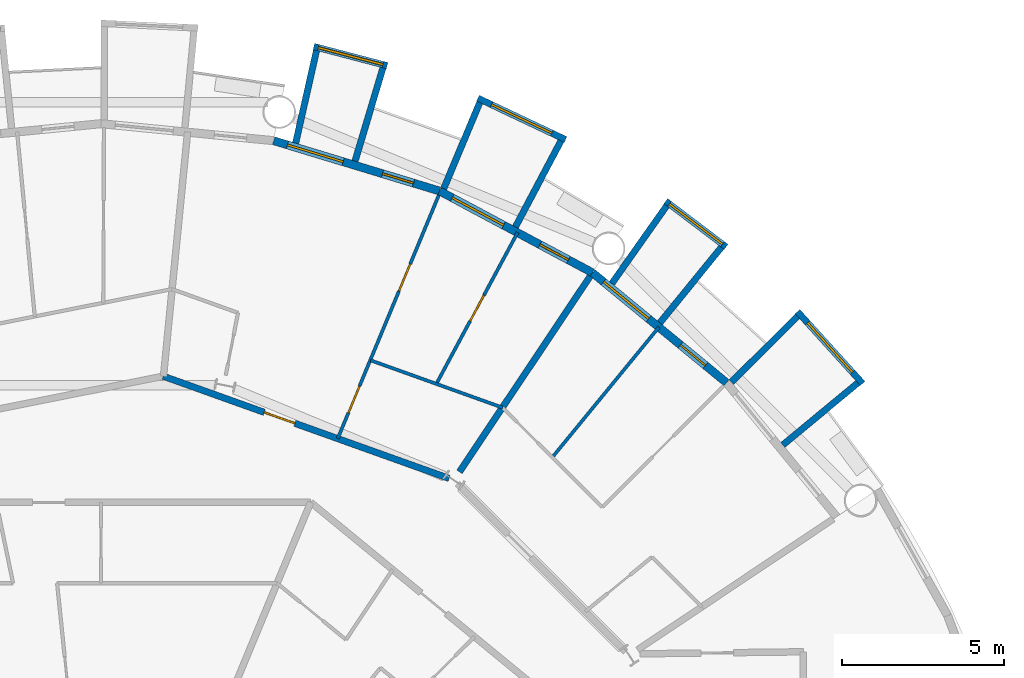
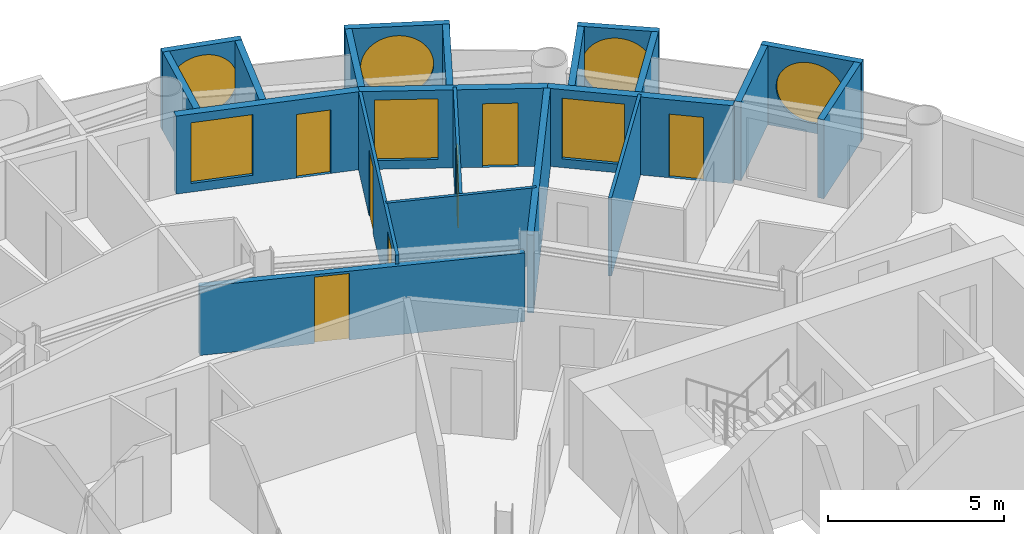
# One storey, part 22 of 26: 21 walls, 7 doors, 7 windows, 14 openings.
"""IFC4 building model written with IfcOpenShell, lengths in metres."""

import ifcopenshell
import ifcopenshell.guid

model = None  # the IFC model being written
_history = None  # IfcOwnerHistory: only IFC2X3 demands one
_inside = {}  # id of a spatial element -> (the spatial element, [elements in it])
_under = {}  # id of a project, library or spatial element -> (it, [spatial elements below it])
_declared = {}  # id of a project -> (the project, [libraries it declares])
_typed = {}  # id of a type object -> (the type object, [elements of that type])
_made_of = {}  # id of a material, layer set ... -> (it, [elements and type objects made of it])


def new_model(schema):
    """Start an empty IFC model of exactly this schema.

    Asked for "IFC4X3", IfcOpenShell would pick the latest addendum, in which some entities
    have other attributes; the version numbers below select the first issue.
    IFC2X3 requires an IfcOwnerHistory on every rooted entity: one is made here for all.
    """
    global model, _history
    if schema == "IFC4X3":
        model = ifcopenshell.file(schema_version=(4, 3, 0, 0))
    else:
        model = ifcopenshell.file(schema=schema)
    _inside.clear()
    _under.clear()
    _declared.clear()
    _typed.clear()
    _made_of.clear()
    _history = None
    if model.schema == "IFC2X3":
        org = make("IfcOrganization", Name="unknown")
        user = make(
            "IfcPersonAndOrganization",
            ThePerson=make("IfcPerson", FamilyName="unknown"),
            TheOrganization=org,
        )
        app = make(
            "IfcApplication",
            ApplicationDeveloper=org,
            Version="unknown",
            ApplicationFullName="unknown",
            ApplicationIdentifier="unknown",
        )
        _history = make(
            "IfcOwnerHistory",
            OwningUser=user,
            OwningApplication=app,
            ChangeAction="ADDED",
            CreationDate=0,
        )
    return model


def make(cls, **values):
    """One entity of the class cls with the attributes given. An attribute that is None is left unset."""
    return model.create_entity(
        cls, **{name: value for name, value in values.items() if value is not None}
    )


def rooted(cls, **values):
    """An entity with a GlobalId (a new one), such as an element, a storey or a relation."""
    return make(cls, GlobalId=ifcopenshell.guid.new(), OwnerHistory=_history, **values)


def si_unit(unit_type, name, prefix=None):
    """IfcSIUnit, for example si_unit("LENGTHUNIT", "METRE", prefix="MILLI")."""
    return make("IfcSIUnit", UnitType=unit_type, Prefix=prefix, Name=name)


def assignment(units):
    """IfcUnitAssignment: the units of a project."""
    return None if units is None else make("IfcUnitAssignment", Units=units)


def point(xyz):
    """IfcCartesianPoint."""
    return None if xyz is None else make("IfcCartesianPoint", Coordinates=xyz)


def direction(xyz):
    """IfcDirection."""
    return None if xyz is None else make("IfcDirection", DirectionRatios=xyz)


def frame(location, z_axis=None, x_axis=None):
    """IfcAxis2Placement3D, a coordinate frame: its origin and axes. An axis left out is left unset."""
    return make(
        "IfcAxis2Placement3D",
        Location=point(location),
        Axis=direction(z_axis),
        RefDirection=direction(x_axis),
    )


def frame_2d(location, x_axis=None):
    """IfcAxis2Placement2D, a coordinate frame in the plane: its origin and x axis."""
    return make(
        "IfcAxis2Placement2D", Location=point(location), RefDirection=direction(x_axis)
    )


def origin():
    """The frame at (0, 0, 0) with its axes left unset."""
    return frame((0.0, 0.0, 0.0))


def place(relative_to, where):
    """IfcLocalPlacement: puts the frame where relative to a parent placement (None: the world)."""
    return make(
        "IfcLocalPlacement", PlacementRelTo=relative_to, RelativePlacement=where
    )


def context(
    kind, dimensions, precision=None, world=None, true_north=None, identifier=None
):
    """IfcGeometricRepresentationContext, for example the 3D "Model" context."""
    return make(
        "IfcGeometricRepresentationContext",
        ContextIdentifier=identifier,
        ContextType=kind,
        CoordinateSpaceDimension=dimensions,
        Precision=precision,
        WorldCoordinateSystem=world,
        TrueNorth=true_north,
    )


def subcontext(parent, identifier, kind, view, scale=None):
    """IfcGeometricRepresentationSubContext, for example "Body" below "Model"."""
    return make(
        "IfcGeometricRepresentationSubContext",
        ContextIdentifier=identifier,
        ContextType=kind,
        ParentContext=parent,
        TargetScale=scale,
        TargetView=view,
    )


def project(units=None, contexts=None):
    """IfcProject with its units and contexts."""
    return rooted(
        "IfcProject",
        Name="project",
        RepresentationContexts=contexts,
        UnitsInContext=assignment(units),
    )


def spatial(cls, under=None, at=None, **own):
    """A site, building, storey or space (cls), placed at a placement, below another one or the project."""
    s = rooted(cls, ObjectPlacement=at, **own)
    if under is not None:
        _under.setdefault(under.id(), (under, []))[1].append(s)
    return s


def profile(cls, at=None, kind="AREA", **sizes):
    """A parametric profile (cls). Its sizes go by their IFC names, for example OverallWidth=200.0."""
    return make(cls, ProfileType=kind, Position=at, **sizes)


def rectangle(**sizes):
    """IfcRectangleProfileDef."""
    return profile("IfcRectangleProfileDef", **sizes)


def circle(**sizes):
    """IfcCircleProfileDef."""
    return profile("IfcCircleProfileDef", **sizes)


def extrude(swept, where, along, depth):
    """IfcExtrudedAreaSolid: the profile swept, set in the frame where, extruded along a direction by depth."""
    return make(
        "IfcExtrudedAreaSolid",
        SweptArea=swept,
        Position=where,
        ExtrudedDirection=direction(along),
        Depth=depth,
    )


def shape(context_of_items, identifier, shape_type, items):
    """IfcShapeRepresentation: the items that make up one representation, for example the "Body"."""
    return make(
        "IfcShapeRepresentation",
        ContextOfItems=context_of_items,
        RepresentationIdentifier=identifier,
        RepresentationType=shape_type,
        Items=items,
    )


def material(Name=None, Category=None):
    """IfcMaterial."""
    return make("IfcMaterial", Name=Name, Category=Category)


def layer(
    of_material, thickness, ventilated=None, Name=None, Category=None, Priority=None
):
    """IfcMaterialLayer: one layer of a wall or slab, of a material (None: an air gap)."""
    return make(
        "IfcMaterialLayer",
        Material=of_material,
        LayerThickness=thickness,
        IsVentilated=ventilated,
        Name=Name,
        Category=Category,
        Priority=Priority,
    )


def layer_set(layers, Name=None):
    """IfcMaterialLayerSet."""
    return make("IfcMaterialLayerSet", MaterialLayers=layers, LayerSetName=Name)


def made_of(thing, what):
    """Note that an element or type object is made of a material, layer set ...; save() writes the relation."""
    if what is not None:
        _made_of.setdefault(what.id(), (what, []))[1].append(thing)
    return thing


def type_object(cls, material=None, **own):
    """A type object (cls), such as IfcWallType, which elements share."""
    return made_of(rooted(cls, **own), material)


def element(
    cls,
    number,
    at=None,
    inside=None,
    cuts=None,
    type_object=None,
    material=None,
    context=None,
    identifier="Body",
    shape_type=None,
    held_by="IfcProductDefinitionShape",
    body=None,
    shapes=None,
    **own,
):
    """One element of the class cls, such as IfcWall. Its Tag is "e" and its number.

    at: its placement. inside: the storey or other place that contains it. cuts: it is an
    opening in that element (IfcRelVoidsElement). A single representation is given by context,
    identifier, shape_type and body (its items); several are given by shapes. held_by: the class
    of the entity that holds the representations. save() writes the other relations.
    """
    e = rooted(cls, Tag="e%d" % number, ObjectPlacement=at, **own)
    if body is not None:
        shapes = [shape(context, identifier, shape_type, body)]
    if shapes is not None:
        e.Representation = make(held_by, Representations=shapes)
    if inside is not None:
        _inside.setdefault(inside.id(), (inside, []))[1].append(e)
    if cuts is not None:
        rooted(
            "IfcRelVoidsElement", RelatingBuildingElement=cuts, RelatedOpeningElement=e
        )
    if type_object is not None:
        _typed.setdefault(type_object.id(), (type_object, []))[1].append(e)
    return made_of(e, material)


def fill(opening, filler):
    """IfcRelFillsElement: the door or window that sits in an opening."""
    return rooted(
        "IfcRelFillsElement",
        RelatingOpeningElement=opening,
        RelatedBuildingElement=filler,
    )


def aggregate(whole, parts):
    """IfcRelAggregates: a whole, such as a stair, and the parts it consists of."""
    return rooted("IfcRelAggregates", RelatingObject=whole, RelatedObjects=parts)


def save(model, path):
    """Write the relations noted so far, then the file.

    IfcRelAggregates (storeys below a building ...), IfcRelContainedInSpatialStructure (elements
    in a storey), IfcRelDefinesByType, IfcRelAssociatesMaterial and IfcRelDeclares: one each for
    every whole, place, type object, material and project.
    """
    for whole, parts in _under.values():
        aggregate(whole, parts)
    for where, things in _inside.values():
        rooted(
            "IfcRelContainedInSpatialStructure",
            RelatedElements=things,
            RelatingStructure=where,
        )
    for kind, things in _typed.values():
        rooted("IfcRelDefinesByType", RelatedObjects=things, RelatingType=kind)
    for what, things in _made_of.values():
        rooted("IfcRelAssociatesMaterial", RelatedObjects=things, RelatingMaterial=what)
    for by, libraries in _declared.values():
        rooted("IfcRelDeclares", RelatingContext=by, RelatedDefinitions=libraries)
    model.write(path)


model = new_model("IFC4")

# Units and contexts
model_context = context("Model", 3, precision=1e-05, world=origin(), true_north=direction((0.0, 1.0)))
body_context = subcontext(model_context, "Body", "Model", "MODEL_VIEW")
ifc_project = project(units=[si_unit("LENGTHUNIT", "METRE"), si_unit("AREAUNIT", "SQUARE_METRE"), si_unit("VOLUMEUNIT", "CUBIC_METRE"), si_unit("PLANEANGLEUNIT", "RADIAN"), si_unit("MASSUNIT", "GRAM", prefix="KILO")], contexts=[model_context])

# Site, building, storey
site_placement = place(None, origin())
site = spatial("IfcSite", under=ifc_project, at=site_placement, CompositionType="ELEMENT")
building_placement = place(site_placement, origin())
building = spatial("IfcBuilding", under=site, at=building_placement, Name="Maasbend Ring Residences", CompositionType="ELEMENT")
storey_placement = place(building_placement, frame((0.0, 0.0, 38.050048828125)))
storey = spatial("IfcBuildingStorey", under=building, at=storey_placement, Name="L10", CompositionType="ELEMENT", Elevation=38.050048828125)

# Wall, opening, door
ifc_material_1 = material(Name="Concrete C30/37", Category="concrete")
ifc_layer_1 = layer(ifc_material_1, 0.199951171875)
ifc_layer_set_1 = layer_set([ifc_layer_1], Name="Concrete C30/37")
wall_type_1 = type_object("IfcWallType", Name="CORRIDOR WALL 200 CONCRETE", PredefinedType="PARTITIONING", material=ifc_layer_set_1)
wall_1_placement = place(storey_placement, frame((1.91796875, 19.506103515625, 0.0), z_axis=(0.0, 0.0, 1.0), x_axis=(0.941574977747, -0.336803446065, 0.0)))
wall_1 = element("IfcWall", 1, at=wall_1_placement, inside=storey, type_object=wall_type_1, Name="U-L10-w107", PredefinedType="PARTITIONING", context=body_context, shape_type="SweptSolid", body=[
    extrude(rectangle(XDim=9.370361328125, YDim=0.199951171875, at=frame_2d((4.68505859375, 0.0))), origin(), (0.0, 0.0, 1.0), 2.3798828125),
])
opening_1_placement = place(wall_1_placement, frame((3.31298828125, 0.0, 0.0)))
opening_1 = element("IfcOpeningElement", 2, at=opening_1_placement, cuts=wall_1, Name="Opening D-1005", PredefinedType="OPENING", context=body_context, shape_type="SweptSolid", body=[
    extrude(rectangle(XDim=1.0, YDim=2.300048828125, at=frame_2d((0.5, 1.14990234375))), frame((0.0, 0.10986328125, 0.0), z_axis=(0.0, -1.0, 0.0), x_axis=(1.0, 0.0, 0.0)), (0.0, 0.0, 1.0), 0.219970703125),
])
ifc_material_2 = material(Name="Timber, fire-rated, painted", Category="wood")
door_type_1 = type_object("IfcDoorType", Name="FLAT ENTRANCE DOOR 1000 X 2300 FIRE-RATED", OperationType="NOTDEFINED", PredefinedType="DOOR", material=ifc_material_2)
door_1_placement = place(opening_1_placement, origin())
door_1 = element("IfcDoor", 3, at=door_1_placement, inside=storey, type_object=door_type_1, Name="D-1005", OperationType="SINGLE_SWING_LEFT", OverallHeight=2.300048828125, OverallWidth=1.0, PredefinedType="DOOR", context=body_context, shape_type="SweptSolid", body=[
    extrude(rectangle(XDim=1.0, YDim=2.300048828125, at=frame_2d((0.5, 1.14990234375))), frame((0.0, 0.02490234375, 0.0), z_axis=(0.0, -1.0, 0.0), x_axis=(1.0, 0.0, 0.0)), (0.0, 0.0, 1.0), 0.050048828125),
])
fill(opening_1, door_1)

# Wall, opening, window
ifc_material_3 = material(Name="Pale anodised aluminium panel", Category="aluminium")
ifc_layer_2 = layer(ifc_material_3, 0.199951171875)
ifc_layer_set_2 = layer_set([ifc_layer_2], Name="EW-BOX")
wall_type_2 = type_object("IfcWallType", Name="EW-BOX", PredefinedType="SOLIDWALL", material=ifc_layer_set_2)
wall_2_placement = place(storey_placement, frame((23.5029296875, 19.281982421875, -0.030029296875), z_axis=(0.0, 0.0, 1.0), x_axis=(-0.671506829416, 0.740998365753, 0.0)))
wall_2 = element("IfcWall", 4, at=wall_2_placement, inside=storey, type_object=wall_type_2, Name="Box front N02", PredefinedType="SOLIDWALL", context=body_context, shape_type="SweptSolid", body=[
    extrude(rectangle(XDim=2.9931640625, YDim=0.199951171875, at=frame_2d((1.49658203125, 0.0))), origin(), (0.0, 0.0, 1.0), 2.72998046875),
])
opening_2_placement = place(wall_2_placement, frame((0.45654296875, 0.0, 0.330078125)))
opening_2 = element("IfcOpeningElement", 5, at=opening_2_placement, cuts=wall_2, Name="Opening W-RD", PredefinedType="OPENING", context=body_context, shape_type="SweptSolid", body=[
    extrude(circle(Radius=1.0400390625, at=frame_2d((1.0400390625, 1.0400390625))), frame((0.0, 0.10986328125, 0.0), z_axis=(0.0, -1.0, 0.0), x_axis=(1.0, 0.0, 0.0)), (0.0, 0.0, 1.0), 0.219970703125),
])
ifc_material_4 = material(Name="Aluminium and clear glass", Category="aluminium")
window_type_1 = type_object("IfcWindowType", Name="W-RD", PartitioningType="SINGLE_PANEL", PredefinedType="WINDOW", material=ifc_material_4)
window_1_placement = place(opening_2_placement, origin())
window_1 = element("IfcWindow", 6, at=window_1_placement, inside=storey, type_object=window_type_1, Name="Round window N02", OverallHeight=2.080078125, OverallWidth=2.080078125, PartitioningType="SINGLE_PANEL", PredefinedType="WINDOW", context=body_context, shape_type="SweptSolid", body=[
    extrude(circle(Radius=1.0400390625, at=frame_2d((1.0400390625, 1.0400390625))), frame((0.0, 0.030029296875, 0.0), z_axis=(0.0, -1.0, 0.0), x_axis=(1.0, 0.0, 0.0)), (0.0, 0.0, 1.0), 0.06005859375),
])
fill(opening_2, window_1)

# Walls
wall_3_placement = place(storey_placement, frame((21.041015625, 17.384033203125, -0.030029296875), z_axis=(0.0, 0.0, 1.0), x_axis=(0.770784861449, 0.63709551667, 0.0)))
element("IfcWall", 7, at=wall_3_placement, inside=storey, type_object=wall_type_2, Name="Box side wall N02 left", PredefinedType="SOLIDWALL", context=body_context, shape_type="SweptSolid", body=[
    extrude(rectangle(XDim=3.005859375, YDim=0.199951171875, at=frame_2d((1.5029296875, 0.0))), origin(), (0.0, 0.0, 1.0), 2.72998046875),
])
wall_4_placement = place(storey_placement, frame((19.449951171875, 19.322998046875, -0.030029296875), z_axis=(0.0, 0.0, 1.0), x_axis=(0.709727076896, 0.704476739375, 0.0)))
element("IfcWall", 8, at=wall_4_placement, inside=storey, type_object=wall_type_2, Name="Box side wall N02 right", PredefinedType="SOLIDWALL", context=body_context, shape_type="SweptSolid", body=[
    extrude(rectangle(XDim=2.883056640625, YDim=0.199951171875, at=frame_2d((1.44140625, 0.0))), origin(), (0.0, 0.0, 1.0), 2.72998046875),
])

# Wall, opening, window
wall_5_placement = place(storey_placement, frame((19.2890625, 23.4970703125, -0.030029296875), z_axis=(0.0, 0.0, 1.0), x_axis=(-0.796842165306, 0.60418752353, 0.0)))
wall_5 = element("IfcWall", 9, at=wall_5_placement, inside=storey, type_object=wall_type_2, Name="Box front N04", PredefinedType="SOLIDWALL", context=body_context, shape_type="SweptSolid", body=[
    extrude(rectangle(XDim=2.3369140625, YDim=0.199951171875, at=frame_2d((1.16845703125, 0.0))), origin(), (0.0, 0.0, 1.0), 2.72998046875),
])
opening_3_placement = place(wall_5_placement, frame((0.128173828125, 0.0, 0.330078125)))
opening_3 = element("IfcOpeningElement", 10, at=opening_3_placement, cuts=wall_5, Name="Opening W-RD", PredefinedType="OPENING", context=body_context, shape_type="SweptSolid", body=[
    extrude(circle(Radius=1.0400390625, at=frame_2d((1.0400390625, 1.0400390625))), frame((0.0, 0.10986328125, 0.0), z_axis=(0.0, -1.0, 0.0), x_axis=(1.0, 0.0, 0.0)), (0.0, 0.0, 1.0), 0.219970703125),
])
window_2_placement = place(opening_3_placement, origin())
window_2 = element("IfcWindow", 11, at=window_2_placement, inside=storey, type_object=window_type_1, Name="Round window N04", OverallHeight=2.080078125, OverallWidth=2.080078125, PartitioningType="SINGLE_PANEL", PredefinedType="WINDOW", context=body_context, shape_type="SweptSolid", body=[
    extrude(circle(Radius=1.0400390625, at=frame_2d((1.0400390625, 1.0400390625))), frame((0.0, 0.030029296875, 0.0), z_axis=(0.0, -1.0, 0.0), x_axis=(1.0, 0.0, 0.0)), (0.0, 0.0, 1.0), 0.06005859375),
])
fill(opening_3, window_2)

# Walls
wall_6_placement = place(storey_placement, frame((17.24609375, 21.155029296875, -0.030029296875), z_axis=(0.0, 0.0, 1.0), x_axis=(0.631741648902, 0.775179004516, 0.0)))
element("IfcWall", 12, at=wall_6_placement, inside=storey, type_object=wall_type_2, Name="Box side wall N04 left", PredefinedType="SOLIDWALL", context=body_context, shape_type="SweptSolid", body=[
    extrude(rectangle(XDim=3.005859375, YDim=0.199951171875, at=frame_2d((1.5029296875, 0.0))), origin(), (0.0, 0.0, 1.0), 2.72998046875),
])
wall_7_placement = place(storey_placement, frame((15.764892578125, 22.3701171875, -0.030029296875), z_axis=(0.0, 0.0, 1.0), x_axis=(0.576274612209, 0.817256123454, 0.0)))
element("IfcWall", 13, at=wall_7_placement, inside=storey, type_object=wall_type_2, Name="Box side wall N04 right", PredefinedType="SOLIDWALL", context=body_context, shape_type="SweptSolid", body=[
    extrude(rectangle(XDim=2.932861328125, YDim=0.199951171875, at=frame_2d((1.46630859375, 0.0))), origin(), (0.0, 0.0, 1.0), 2.72998046875),
])

# Wall, opening, window
wall_8_placement = place(storey_placement, frame((14.3349609375, 26.80810546875, -0.030029296875), z_axis=(0.0, 0.0, 1.0), x_axis=(-0.904000060331, 0.427532327342, 0.0)))
wall_8 = element("IfcWall", 14, at=wall_8_placement, inside=storey, type_object=wall_type_2, Name="Box front N06", PredefinedType="SOLIDWALL", context=body_context, shape_type="SweptSolid", body=[
    extrude(rectangle(XDim=2.993408203125, YDim=0.199951171875, at=frame_2d((1.49658203125, 0.0))), origin(), (0.0, 0.0, 1.0), 2.72998046875),
])
opening_4_placement = place(wall_8_placement, frame((0.45654296875, 0.0, 0.330078125)))
opening_4 = element("IfcOpeningElement", 15, at=opening_4_placement, cuts=wall_8, Name="Opening W-RD", PredefinedType="OPENING", context=body_context, shape_type="SweptSolid", body=[
    extrude(circle(Radius=1.0400390625, at=frame_2d((1.0400390625, 1.0400390625))), frame((0.0, 0.10986328125, 0.0), z_axis=(0.0, -1.0, 0.0), x_axis=(1.0, 0.0, 0.0)), (0.0, 0.0, 1.0), 0.219970703125),
])
window_3_placement = place(opening_4_placement, origin())
window_3 = element("IfcWindow", 16, at=window_3_placement, inside=storey, type_object=window_type_1, Name="Round window N06", OverallHeight=2.080078125, OverallWidth=2.080078125, PartitioningType="SINGLE_PANEL", PredefinedType="WINDOW", context=body_context, shape_type="SweptSolid", body=[
    extrude(circle(Radius=1.0400390625, at=frame_2d((1.0400390625, 1.0400390625))), frame((0.0, 0.030029296875, 0.0), z_axis=(0.0, -1.0, 0.0), x_axis=(1.0, 0.0, 0.0)), (0.0, 0.0, 1.0), 0.06005859375),
])
fill(opening_4, window_3)

# Walls
wall_9_placement = place(storey_placement, frame((12.787109375, 24.113037109375, -0.030029296875), z_axis=(0.0, 0.0, 1.0), x_axis=(0.468365282436, 0.883534924159, 0.0)))
element("IfcWall", 17, at=wall_9_placement, inside=storey, type_object=wall_type_2, Name="Box side wall N06 left", PredefinedType="SOLIDWALL", context=body_context, shape_type="SweptSolid", body=[
    extrude(rectangle(XDim=3.006103515625, YDim=0.199951171875, at=frame_2d((1.5029296875, 0.0))), origin(), (0.0, 0.0, 1.0), 2.72998046875),
])
wall_10_placement = place(storey_placement, frame((10.574951171875, 25.294921875, -0.030029296875), z_axis=(0.0, 0.0, 1.0), x_axis=(0.385697364644, 0.922625353492, 0.0)))
element("IfcWall", 18, at=wall_10_placement, inside=storey, type_object=wall_type_2, Name="Box side wall N06 right", PredefinedType="SOLIDWALL", context=body_context, shape_type="SweptSolid", body=[
    extrude(rectangle(XDim=2.88330078125, YDim=0.199951171875, at=frame_2d((1.441650390625, 0.0))), origin(), (0.0, 0.0, 1.0), 2.72998046875),
])

# Wall, opening, window
wall_11_placement = place(storey_placement, frame((8.827880859375, 29.090087890625, -0.030029296875), z_axis=(0.0, 0.0, 1.0), x_axis=(-0.967377102346, 0.253340762326, 0.0)))
wall_11 = element("IfcWall", 19, at=wall_11_placement, inside=storey, type_object=wall_type_2, Name="Box front N08", PredefinedType="SOLIDWALL", context=body_context, shape_type="SweptSolid", body=[
    extrude(rectangle(XDim=2.3359375, YDim=0.199951171875, at=frame_2d((1.16796875, 0.0))), origin(), (0.0, 0.0, 1.0), 2.72998046875),
])
opening_5_placement = place(wall_11_placement, frame((0.128173828125, 0.0, 0.330078125)))
opening_5 = element("IfcOpeningElement", 20, at=opening_5_placement, cuts=wall_11, Name="Opening W-RD", PredefinedType="OPENING", context=body_context, shape_type="SweptSolid", body=[
    extrude(circle(Radius=1.0400390625, at=frame_2d((1.0400390625, 1.0400390625))), frame((0.0, 0.10986328125, 0.0), z_axis=(0.0, -1.0, 0.0), x_axis=(1.0, 0.0, 0.0)), (0.0, 0.0, 1.0), 0.219970703125),
])
window_4_placement = place(opening_5_placement, origin())
window_4 = element("IfcWindow", 21, at=window_4_placement, inside=storey, type_object=window_type_1, Name="Round window N08", OverallHeight=2.080078125, OverallWidth=2.080078125, PartitioningType="SINGLE_PANEL", PredefinedType="WINDOW", context=body_context, shape_type="SweptSolid", body=[
    extrude(circle(Radius=1.0400390625, at=frame_2d((1.0400390625, 1.0400390625))), frame((0.0, 0.030029296875, 0.0), z_axis=(0.0, -1.0, 0.0), x_axis=(1.0, 0.0, 0.0)), (0.0, 0.0, 1.0), 0.06005859375),
])
fill(opening_5, window_4)

# Walls
wall_12_placement = place(storey_placement, frame((7.8369140625, 26.14404296875, -0.030029296875), z_axis=(0.0, 0.0, 1.0), x_axis=(0.287064767992, 0.957911174889, 0.0)))
element("IfcWall", 22, at=wall_12_placement, inside=storey, type_object=wall_type_2, Name="Box side wall N08 left", PredefinedType="SOLIDWALL", context=body_context, shape_type="SweptSolid", body=[
    extrude(rectangle(XDim=3.00634765625, YDim=0.199951171875, at=frame_2d((1.503173828125, 0.0))), origin(), (0.0, 0.0, 1.0), 2.72998046875),
])
wall_13_placement = place(storey_placement, frame((6.00390625, 26.699951171875, -0.030029296875), z_axis=(0.0, 0.0, 1.0), x_axis=(0.219609259383, 0.975587911566, 0.0)))
element("IfcWall", 23, at=wall_13_placement, inside=storey, type_object=wall_type_2, Name="Box side wall N08 right", PredefinedType="SOLIDWALL", context=body_context, shape_type="SweptSolid", body=[
    extrude(rectangle(XDim=2.9326171875, YDim=0.199951171875, at=frame_2d((1.46630859375, 0.0))), origin(), (0.0, 0.0, 1.0), 2.72998046875),
])

# Wall, openings, door, window
ifc_material_5 = material(Name="Aluminium clad insulated panel", Category="aluminium")
ifc_layer_3 = layer(ifc_material_5, 0.25)
ifc_layer_set_3 = layer_set([ifc_layer_3], Name="EW-GL")
wall_type_3 = type_object("IfcWallType", Name="EW-GL", PredefinedType="SOLIDWALL", material=ifc_layer_set_3)
wall_14_placement = place(storey_placement, frame((19.303955078125, 19.303955078125, 0.0), z_axis=(0.0, 0.0, 1.0), x_axis=(-0.773019449054, 0.634382322723, 0.0)))
wall_14 = element("IfcWall", 24, at=wall_14_placement, inside=storey, type_object=wall_type_3, Name="External wall N02", PredefinedType="SOLIDWALL", context=body_context, shape_type="SweptSolid", body=[
    extrude(rectangle(XDim=5.351806640625, YDim=0.25, at=frame_2d((2.67578125, 0.0))), origin(), (0.0, 0.0, 1.0), 2.699951171875),
])
opening_6_placement = place(wall_14_placement, frame((0.841064453125, 0.0, 0.0)))
opening_6 = element("IfcOpeningElement", 25, at=opening_6_placement, cuts=wall_14, Name="Opening D-LG", PredefinedType="OPENING", context=body_context, shape_type="SweptSolid", body=[
    extrude(rectangle(XDim=1.0, YDim=2.199951171875, at=frame_2d((0.5, 1.10009765625))), frame((0.0, 0.135009765625, 0.0), z_axis=(0.0, -1.0, 0.0), x_axis=(1.0, 0.0, 0.0)), (0.0, 0.0, 1.0), 0.27001953125),
])
opening_7_placement = place(wall_14_placement, frame((3.110595703125, 0.0, 0.300048828125)))
opening_7 = element("IfcOpeningElement", 26, at=opening_7_placement, cuts=wall_14, Name="Opening W-BX", PredefinedType="OPENING", context=body_context, shape_type="SweptSolid", body=[
    extrude(rectangle(XDim=1.800048828125, YDim=2.10009765625, at=frame_2d((0.89990234375, 1.050048828125))), frame((0.0, 0.135009765625, 0.0), z_axis=(0.0, -1.0, 0.0), x_axis=(1.0, 0.0, 0.0)), (0.0, 0.0, 1.0), 0.27001953125),
])
ifc_material_6 = material(Name="Aluminium and clear glass", Category="aluminium")
door_type_2 = type_object("IfcDoorType", Name="D-LG", OperationType="SINGLE_SWING_LEFT", PredefinedType="DOOR", material=ifc_material_6)
door_2_placement = place(opening_6_placement, origin())
door_2 = element("IfcDoor", 27, at=door_2_placement, inside=storey, type_object=door_type_2, Name="Loggia door N03", OperationType="SINGLE_SWING_LEFT", OverallHeight=2.199951171875, OverallWidth=1.0, PredefinedType="DOOR", context=body_context, shape_type="SweptSolid", body=[
    extrude(rectangle(XDim=1.0, YDim=2.199951171875, at=frame_2d((0.5, 1.10009765625))), frame((0.0, 0.02490234375, 0.0), z_axis=(0.0, -1.0, 0.0), x_axis=(1.0, 0.0, 0.0)), (0.0, 0.0, 1.0), 0.050048828125),
])
fill(opening_6, door_2)
ifc_material_7 = material(Name="Aluminium and clear glass", Category="aluminium")
window_type_2 = type_object("IfcWindowType", Name="W-BX", PartitioningType="DOUBLE_PANEL_VERTICAL", PredefinedType="WINDOW", material=ifc_material_7)
window_5_placement = place(opening_7_placement, origin())
window_5 = element("IfcWindow", 28, at=window_5_placement, inside=storey, type_object=window_type_2, Name="Window N04 room to box", OverallHeight=2.10009765625, OverallWidth=1.800048828125, PartitioningType="SINGLE_PANEL", PredefinedType="WINDOW", context=body_context, shape_type="SweptSolid", body=[
    extrude(rectangle(XDim=1.800048828125, YDim=2.10009765625, at=frame_2d((0.89990234375, 1.050048828125))), frame((0.0, 0.030029296875, 0.0), z_axis=(0.0, -1.0, 0.0), x_axis=(1.0, 0.0, 0.0)), (0.0, 0.0, 1.0), 0.06005859375),
])
fill(opening_7, window_5)

wall_15_placement = place(storey_placement, frame((15.1669921875, 22.698974609375, 0.0), z_axis=(0.0, 0.0, 1.0), x_axis=(-0.881915646801, 0.471407246368, 0.0)))
wall_15 = element("IfcWall", 29, at=wall_15_placement, inside=storey, type_object=wall_type_3, Name="External wall N03", PredefinedType="SOLIDWALL", context=body_context, shape_type="SweptSolid", body=[
    extrude(rectangle(XDim=5.35205078125, YDim=0.25, at=frame_2d((2.676025390625, 0.0))), origin(), (0.0, 0.0, 1.0), 2.699951171875),
])
opening_8_placement = place(wall_15_placement, frame((0.841064453125, 0.0, 0.0)))
opening_8 = element("IfcOpeningElement", 30, at=opening_8_placement, cuts=wall_15, Name="Opening D-LG", PredefinedType="OPENING", context=body_context, shape_type="SweptSolid", body=[
    extrude(rectangle(XDim=1.0, YDim=2.199951171875, at=frame_2d((0.5, 1.10009765625))), frame((0.0, 0.135009765625, 0.0), z_axis=(0.0, -1.0, 0.0), x_axis=(1.0, 0.0, 0.0)), (0.0, 0.0, 1.0), 0.27001953125),
])
opening_9_placement = place(wall_15_placement, frame((3.110595703125, 0.0, 0.300048828125)))
opening_9 = element("IfcOpeningElement", 31, at=opening_9_placement, cuts=wall_15, Name="Opening W-BX", PredefinedType="OPENING", context=body_context, shape_type="SweptSolid", body=[
    extrude(rectangle(XDim=1.800048828125, YDim=2.10009765625, at=frame_2d((0.89990234375, 1.050048828125))), frame((0.0, 0.135009765625, 0.0), z_axis=(0.0, -1.0, 0.0), x_axis=(1.0, 0.0, 0.0)), (0.0, 0.0, 1.0), 0.27001953125),
])
door_3_placement = place(opening_8_placement, origin())
door_3 = element("IfcDoor", 32, at=door_3_placement, inside=storey, type_object=door_type_2, Name="Loggia door N05", OperationType="SINGLE_SWING_LEFT", OverallHeight=2.199951171875, OverallWidth=1.0, PredefinedType="DOOR", context=body_context, shape_type="SweptSolid", body=[
    extrude(rectangle(XDim=1.0, YDim=2.199951171875, at=frame_2d((0.5, 1.10009765625))), frame((0.0, 0.02490234375, 0.0), z_axis=(0.0, -1.0, 0.0), x_axis=(1.0, 0.0, 0.0)), (0.0, 0.0, 1.0), 0.050048828125),
])
fill(opening_8, door_3)
window_6_placement = place(opening_9_placement, origin())
window_6 = element("IfcWindow", 33, at=window_6_placement, inside=storey, type_object=window_type_2, Name="Window N06 room to box", OverallHeight=2.10009765625, OverallWidth=1.800048828125, PartitioningType="SINGLE_PANEL", PredefinedType="WINDOW", context=body_context, shape_type="SweptSolid", body=[
    extrude(rectangle(XDim=1.800048828125, YDim=2.10009765625, at=frame_2d((0.89990234375, 1.050048828125))), frame((0.0, 0.030029296875, 0.0), z_axis=(0.0, -1.0, 0.0), x_axis=(1.0, 0.0, 0.0)), (0.0, 0.0, 1.0), 0.06005859375),
])
fill(opening_9, window_6)

wall_16_placement = place(storey_placement, frame((10.447021484375, 25.221923828125, 0.0), z_axis=(0.0, 0.0, 1.0), x_axis=(-0.956965678721, 0.290201119486, 0.0)))
wall_16 = element("IfcWall", 34, at=wall_16_placement, inside=storey, type_object=wall_type_3, Name="External wall N04", PredefinedType="SOLIDWALL", context=body_context, shape_type="SweptSolid", body=[
    extrude(rectangle(XDim=5.351318359375, YDim=0.25, at=frame_2d((2.67578125, 0.0))), origin(), (0.0, 0.0, 1.0), 2.699951171875),
])
opening_10_placement = place(wall_16_placement, frame((0.841064453125, 0.0, 0.0)))
opening_10 = element("IfcOpeningElement", 35, at=opening_10_placement, cuts=wall_16, Name="Opening D-LG", PredefinedType="OPENING", context=body_context, shape_type="SweptSolid", body=[
    extrude(rectangle(XDim=1.0, YDim=2.199951171875, at=frame_2d((0.5, 1.10009765625))), frame((0.0, 0.135009765625, 0.0), z_axis=(0.0, -1.0, 0.0), x_axis=(1.0, 0.0, 0.0)), (0.0, 0.0, 1.0), 0.27001953125),
])
opening_11_placement = place(wall_16_placement, frame((3.110595703125, 0.0, 0.300048828125)))
opening_11 = element("IfcOpeningElement", 36, at=opening_11_placement, cuts=wall_16, Name="Opening W-BX", PredefinedType="OPENING", context=body_context, shape_type="SweptSolid", body=[
    extrude(rectangle(XDim=1.800048828125, YDim=2.10009765625, at=frame_2d((0.89990234375, 1.050048828125))), frame((0.0, 0.135009765625, 0.0), z_axis=(0.0, -1.0, 0.0), x_axis=(1.0, 0.0, 0.0)), (0.0, 0.0, 1.0), 0.27001953125),
])
door_4_placement = place(opening_10_placement, origin())
door_4 = element("IfcDoor", 37, at=door_4_placement, inside=storey, type_object=door_type_2, Name="Loggia door N07", OperationType="SINGLE_SWING_LEFT", OverallHeight=2.199951171875, OverallWidth=1.0, PredefinedType="DOOR", context=body_context, shape_type="SweptSolid", body=[
    extrude(rectangle(XDim=1.0, YDim=2.199951171875, at=frame_2d((0.5, 1.10009765625))), frame((0.0, 0.02490234375, 0.0), z_axis=(0.0, -1.0, 0.0), x_axis=(1.0, 0.0, 0.0)), (0.0, 0.0, 1.0), 0.050048828125),
])
fill(opening_10, door_4)
window_7_placement = place(opening_11_placement, origin())
window_7 = element("IfcWindow", 38, at=window_7_placement, inside=storey, type_object=window_type_2, Name="Window N08 room to box", OverallHeight=2.10009765625, OverallWidth=1.800048828125, PartitioningType="SINGLE_PANEL", PredefinedType="WINDOW", context=body_context, shape_type="SweptSolid", body=[
    extrude(rectangle(XDim=1.800048828125, YDim=2.10009765625, at=frame_2d((0.89990234375, 1.050048828125))), frame((0.0, 0.030029296875, 0.0), z_axis=(0.0, -1.0, 0.0), x_axis=(1.0, 0.0, 0.0)), (0.0, 0.0, 1.0), 0.06005859375),
])
fill(opening_11, window_7)

# Wall, openings, doors
ifc_material_8 = material(Name="Gypsum board on steel studs", Category="steel")
ifc_layer_4 = layer(ifc_material_8, 0.10009765625)
ifc_layer_set_4 = layer_set([ifc_layer_4], Name="PARTITION 100 GYPSUM")
wall_type_4 = type_object("IfcWallType", Name="PARTITION 100 GYPSUM", PredefinedType="PARTITIONING", material=ifc_layer_set_4)
wall_17_placement = place(storey_placement, frame((7.302001953125, 17.580078125, 0.0), z_axis=(0.0, 0.0, 1.0), x_axis=(0.383616168183, 0.923492628833, 0.0)))
wall_17 = element("IfcWall", 39, at=wall_17_placement, inside=storey, type_object=wall_type_4, Name="U-L10-w073", PredefinedType="PARTITIONING", context=body_context, shape_type="SweptSolid", body=[
    extrude(rectangle(XDim=8.138427734375, YDim=0.10009765625, at=frame_2d((4.0693359375, 0.0))), origin(), (0.0, 0.0, 1.0), 2.699951171875),
])
opening_12_placement = place(wall_17_placement, frame((0.861083984375, 0.0, 0.0)))
opening_12 = element("IfcOpeningElement", 40, at=opening_12_placement, cuts=wall_17, Name="Opening D-1007", PredefinedType="OPENING", context=body_context, shape_type="SweptSolid", body=[
    extrude(rectangle(XDim=0.89990234375, YDim=2.300048828125, at=frame_2d((0.449951171875, 1.14990234375))), frame((0.0, 0.06005859375, 0.0), z_axis=(0.0, -1.0, 0.0), x_axis=(1.0, 0.0, 0.0)), (0.0, 0.0, 1.0), 0.1201171875),
])
opening_13_placement = place(wall_17_placement, frame((4.930908203125, 0.0, 0.0)))
opening_13 = element("IfcOpeningElement", 41, at=opening_13_placement, cuts=wall_17, Name="Opening D-1008", PredefinedType="OPENING", context=body_context, shape_type="SweptSolid", body=[
    extrude(rectangle(XDim=0.89990234375, YDim=2.300048828125, at=frame_2d((0.449951171875, 1.14990234375))), frame((0.0, 0.06005859375, 0.0), z_axis=(0.0, -1.0, 0.0), x_axis=(1.0, 0.0, 0.0)), (0.0, 0.0, 1.0), 0.1201171875),
])
ifc_material_9 = material(Name="Timber, painted", Category="wood")
door_type_3 = type_object("IfcDoorType", Name="INTERNAL DOOR 900 X 2300", OperationType="NOTDEFINED", PredefinedType="DOOR", material=ifc_material_9)
door_5_placement = place(opening_12_placement, origin())
door_5 = element("IfcDoor", 42, at=door_5_placement, inside=storey, type_object=door_type_3, Name="D-1007", OperationType="SINGLE_SWING_LEFT", OverallHeight=2.300048828125, OverallWidth=0.89990234375, PredefinedType="DOOR", context=body_context, shape_type="SweptSolid", body=[
    extrude(rectangle(XDim=0.89990234375, YDim=2.300048828125, at=frame_2d((0.449951171875, 1.14990234375))), frame((0.0, 0.02490234375, 0.0), z_axis=(0.0, -1.0, 0.0), x_axis=(1.0, 0.0, 0.0)), (0.0, 0.0, 1.0), 0.050048828125),
])
fill(opening_12, door_5)
door_6_placement = place(opening_13_placement, origin())
door_6 = element("IfcDoor", 43, at=door_6_placement, inside=storey, type_object=door_type_3, Name="D-1008", OperationType="SINGLE_SWING_RIGHT", OverallHeight=2.300048828125, OverallWidth=0.89990234375, PredefinedType="DOOR", context=body_context, shape_type="SweptSolid", body=[
    extrude(rectangle(XDim=0.89990234375, YDim=2.300048828125, at=frame_2d((0.449951171875, 1.14990234375))), frame((0.0, 0.02490234375, 0.0), z_axis=(0.0, -1.0, 0.0), x_axis=(1.0, 0.0, 0.0)), (0.0, 0.0, 1.0), 0.050048828125),
])
fill(opening_13, door_6)

# Wall, opening, door
wall_18_placement = place(storey_placement, frame((10.34912109375, 19.27197265625, 0.0), z_axis=(0.0, 0.0, 1.0), x_axis=(0.472967735543, 0.881079747319, 0.0)))
wall_18 = element("IfcWall", 44, at=wall_18_placement, inside=storey, type_object=wall_type_4, Name="U-L10-w081", PredefinedType="PARTITIONING", context=body_context, shape_type="SweptSolid", body=[
    extrude(rectangle(XDim=5.30029296875, YDim=0.10009765625, at=frame_2d((2.650146484375, 0.0))), origin(), (0.0, 0.0, 1.0), 2.699951171875),
])
opening_14_placement = place(wall_18_placement, frame((2.199951171875, 0.0, 0.0)))
opening_14 = element("IfcOpeningElement", 45, at=opening_14_placement, cuts=wall_18, Name="Opening D-1009", PredefinedType="OPENING", context=body_context, shape_type="SweptSolid", body=[
    extrude(rectangle(XDim=0.89990234375, YDim=2.300048828125, at=frame_2d((0.449951171875, 1.14990234375))), frame((0.0, 0.06005859375, 0.0), z_axis=(0.0, -1.0, 0.0), x_axis=(1.0, 0.0, 0.0)), (0.0, 0.0, 1.0), 0.1201171875),
])
door_7_placement = place(opening_14_placement, origin())
door_7 = element("IfcDoor", 46, at=door_7_placement, inside=storey, type_object=door_type_3, Name="D-1009", OperationType="SINGLE_SWING_RIGHT", OverallHeight=2.300048828125, OverallWidth=0.89990234375, PredefinedType="DOOR", context=body_context, shape_type="SweptSolid", body=[
    extrude(rectangle(XDim=0.89990234375, YDim=2.300048828125, at=frame_2d((0.449951171875, 1.14990234375))), frame((0.0, 0.02490234375, 0.0), z_axis=(0.0, -1.0, 0.0), x_axis=(1.0, 0.0, 0.0)), (0.0, 0.0, 1.0), 0.050048828125),
])
fill(opening_14, door_7)

# Walls
wall_19_placement = place(storey_placement, frame((13.927001953125, 17.00390625, 0.0), z_axis=(0.0, 0.0, 1.0), x_axis=(0.633774976367, 0.773517471898, 0.0)))
element("IfcWall", 47, at=wall_19_placement, inside=storey, type_object=wall_type_4, Name="U-L10-w085", PredefinedType="PARTITIONING", context=body_context, shape_type="SweptSolid", body=[
    extrude(rectangle(XDim=5.19580078125, YDim=0.10009765625, at=frame_2d((2.597900390625, 0.0))), origin(), (0.0, 0.0, 1.0), 2.699951171875),
])
wall_20_placement = place(storey_placement, frame((8.318115234375, 19.99609375, 0.0), z_axis=(0.0, 0.0, 1.0), x_axis=(0.941370462946, -0.337374645598, 0.0)))
element("IfcWall", 48, at=wall_20_placement, inside=storey, type_object=wall_type_4, Name="U-L10-w114", PredefinedType="PARTITIONING", context=body_context, shape_type="SweptSolid", body=[
    extrude(rectangle(XDim=4.333984375, YDim=0.10009765625, at=frame_2d((2.1669921875, 0.0))), origin(), (0.0, 0.0, 1.0), 2.699951171875),
])
ifc_material_10 = material(Name="Concrete C30/37", Category="concrete")
ifc_layer_5 = layer(ifc_material_10, 0.199951171875)
ifc_layer_set_5 = layer_set([ifc_layer_5], Name="Concrete C30/37")
wall_type_5 = type_object("IfcWallType", Name="PARTY WALL 200 CONCRETE", PredefinedType="PARTITIONING", material=ifc_layer_set_5)
wall_21_placement = place(storey_placement, frame((11.06103515625, 16.554931640625, 0.0), z_axis=(0.0, 0.0, 1.0), x_axis=(0.555576285599, 0.831465568067, 0.0)))
element("IfcWall", 49, at=wall_21_placement, inside=storey, type_object=wall_type_5, Name="U-L10-w082", PredefinedType="PARTITIONING", context=body_context, shape_type="SweptSolid", body=[
    extrude(rectangle(XDim=7.264404296875, YDim=0.199951171875, at=frame_2d((3.63232421875, 0.0))), origin(), (0.0, 0.0, 1.0), 2.699951171875),
])

save(model, "model.ifc")
